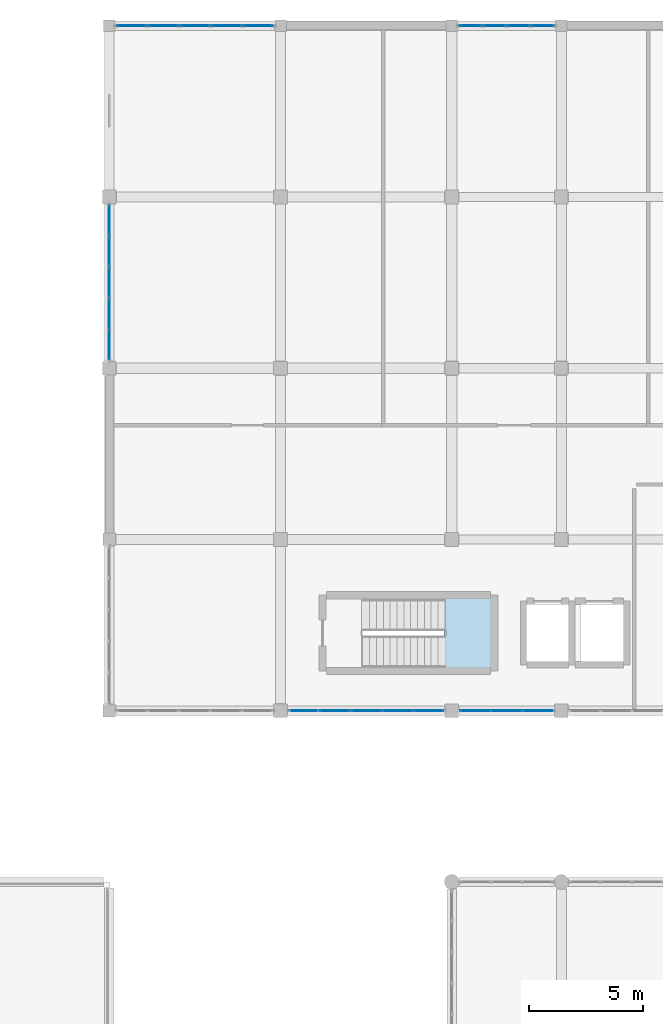
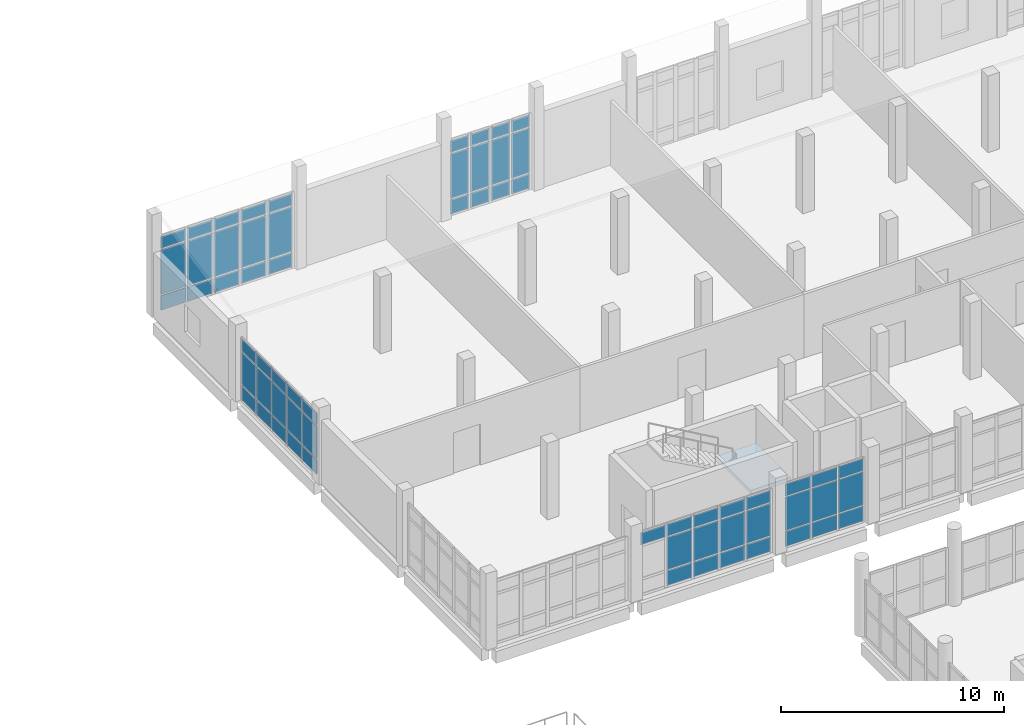
# One storey, part 131 of 164: 64 plates, 1 slab, 6 elements without a shape of their own.
"""IFC4 building model written with IfcOpenShell, lengths in metres."""

from ifc_helpers import new_model, si_unit, direction, frame, origin, origin_2d, place, context, subcontext, project, spatial, polyline, rectangle, outline, extrude, material, layer, layer_set, type_object, element, aggregate, save


model = new_model("IFC4")

# Units and contexts
model_context = context("Model", 3, precision=1e-05, world=origin(), true_north=direction((0.0, 1.0)))
body_context = subcontext(model_context, "Body", "Model", "MODEL_VIEW")
ifc_project = project(units=[si_unit("LENGTHUNIT", "METRE"), si_unit("AREAUNIT", "SQUARE_METRE"), si_unit("VOLUMEUNIT", "CUBIC_METRE"), si_unit("PLANEANGLEUNIT", "RADIAN"), si_unit("MASSUNIT", "GRAM", prefix="KILO")], contexts=[model_context])

# Site, building, storey
site_placement = place(None, origin())
site = spatial("IfcSite", under=ifc_project, at=site_placement, CompositionType="ELEMENT")
building_placement = place(site_placement, origin())
building = spatial("IfcBuilding", under=site, at=building_placement, Name="Mawjan Specialist Oncology Clinic", CompositionType="ELEMENT")
storey_placement = place(building_placement, frame((0.0, 0.0, 5.0)))
storey = spatial("IfcBuildingStorey", under=building, at=storey_placement, Name="L01", CompositionType="ELEMENT", Elevation=5.0)

# Curtain wall, plates
ifc_material_1 = material(Name="Unitised spectrally selective aluminium curtain wall", Category="aluminium")
ifc_layer_1 = layer(ifc_material_1, 0.179931640625, Name="Unitised spectrally selective aluminium curtain wall", Category="aluminium")
ifc_layer_set_1 = layer_set([ifc_layer_1], Name="Unitised spectrally selective aluminium curtain wall")
curtain_wall_type_1 = type_object("IfcCurtainWallType", Name="CW-59", PredefinedType="NOTDEFINED", material=ifc_layer_set_1)
curtain_wall_1_placement = place(storey_placement, origin())
curtain_wall_1 = element("IfcCurtainWall", 1, at=curtain_wall_1_placement, inside=storey, type_object=curtain_wall_type_1, Name="L01 Unitised Curtain Wall CW-L01-113", PredefinedType="NOTDEFINED")
ifc_material_2 = material(Name="Spectrally selective double low-E glazing", Category="glass")
ifc_layer_2 = layer(ifc_material_2, 0.031982421875, Name="Spectrally selective double low-E glazing", Category="glass")
ifc_layer_set_2 = layer_set([ifc_layer_2], Name="Spectrally selective double low-E glazing")
plate_type = type_object("IfcPlateType", Name="CW-P32", PredefinedType="CURTAIN_PANEL", material=ifc_layer_set_2)
plate_1_placement = place(storey_placement, frame((63.771728515625, 83.300048828125, 0.06005859375), z_axis=(0.0, 0.0, 1.0), x_axis=(-1.0, 0.0, 0.0)))
plate_1 = element("IfcPlate", 2, at=plate_1_placement, type_object=plate_type, Name="CW-59 panel 1.1", PredefinedType="CURTAIN_PANEL", context=body_context, shape_type="SweptSolid", body=[
    extrude(rectangle(XDim=1.296630859375, YDim=0.031982421875, at=origin_2d()), origin(), (0.0, 0.0, 1.0), 0.81005859375),
])
plate_2_placement = place(storey_placement, frame((63.771728515625, 83.300048828125, 0.93017578125), z_axis=(0.0, 0.0, 1.0), x_axis=(-1.0, 0.0, 0.0)))
plate_2 = element("IfcPlate", 3, at=plate_2_placement, type_object=plate_type, Name="CW-59 panel 1.2", PredefinedType="CURTAIN_PANEL", context=body_context, shape_type="SweptSolid", body=[
    extrude(rectangle(XDim=1.296630859375, YDim=0.031982421875, at=origin_2d()), origin(), (0.0, 0.0, 1.0), 1.824951171875),
])
plate_3_placement = place(storey_placement, frame((63.771728515625, 83.300048828125, 2.81494140625), z_axis=(0.0, 0.0, 1.0), x_axis=(-1.0, 0.0, 0.0)))
plate_3 = element("IfcPlate", 4, at=plate_3_placement, type_object=plate_type, Name="CW-59 panel 1.3", PredefinedType="CURTAIN_PANEL", context=body_context, shape_type="SweptSolid", body=[
    extrude(rectangle(XDim=1.296630859375, YDim=0.031982421875, at=origin_2d()), origin(), (0.0, 0.0, 1.0), 0.659912109375),
])
plate_4_placement = place(storey_placement, frame((62.39990234375, 83.300048828125, 0.06005859375), z_axis=(0.0, 0.0, 1.0), x_axis=(-1.0, 0.0, 0.0)))
plate_4 = element("IfcPlate", 5, at=plate_4_placement, type_object=plate_type, Name="CW-59 panel 2.1", PredefinedType="CURTAIN_PANEL", context=body_context, shape_type="SweptSolid", body=[
    extrude(rectangle(XDim=1.32666015625, YDim=0.031982421875, at=origin_2d()), origin(), (0.0, 0.0, 1.0), 0.81005859375),
])
plate_5_placement = place(storey_placement, frame((62.39990234375, 83.300048828125, 0.93017578125), z_axis=(0.0, 0.0, 1.0), x_axis=(-1.0, 0.0, 0.0)))
plate_5 = element("IfcPlate", 6, at=plate_5_placement, type_object=plate_type, Name="CW-59 panel 2.2", PredefinedType="CURTAIN_PANEL", context=body_context, shape_type="SweptSolid", body=[
    extrude(rectangle(XDim=1.32666015625, YDim=0.031982421875, at=origin_2d()), origin(), (0.0, 0.0, 1.0), 1.824951171875),
])
plate_6_placement = place(storey_placement, frame((62.39990234375, 83.300048828125, 2.81494140625), z_axis=(0.0, 0.0, 1.0), x_axis=(-1.0, 0.0, 0.0)))
plate_6 = element("IfcPlate", 7, at=plate_6_placement, type_object=plate_type, Name="CW-59 panel 2.3", PredefinedType="CURTAIN_PANEL", context=body_context, shape_type="SweptSolid", body=[
    extrude(rectangle(XDim=1.32666015625, YDim=0.031982421875, at=origin_2d()), origin(), (0.0, 0.0, 1.0), 0.659912109375),
])
plate_7_placement = place(storey_placement, frame((61.0283203125, 83.300048828125, 0.06005859375), z_axis=(0.0, 0.0, 1.0), x_axis=(-1.0, 0.0, 0.0)))
plate_7 = element("IfcPlate", 8, at=plate_7_placement, type_object=plate_type, Name="CW-59 panel 3.1", PredefinedType="CURTAIN_PANEL", context=body_context, shape_type="SweptSolid", body=[
    extrude(rectangle(XDim=1.296630859375, YDim=0.031982421875, at=origin_2d()), origin(), (0.0, 0.0, 1.0), 0.81005859375),
])
plate_8_placement = place(storey_placement, frame((61.0283203125, 83.300048828125, 0.93017578125), z_axis=(0.0, 0.0, 1.0), x_axis=(-1.0, 0.0, 0.0)))
plate_8 = element("IfcPlate", 9, at=plate_8_placement, type_object=plate_type, Name="CW-59 panel 3.2", PredefinedType="CURTAIN_PANEL", context=body_context, shape_type="SweptSolid", body=[
    extrude(rectangle(XDim=1.296630859375, YDim=0.031982421875, at=origin_2d()), origin(), (0.0, 0.0, 1.0), 1.824951171875),
])
plate_9_placement = place(storey_placement, frame((61.0283203125, 83.300048828125, 2.81494140625), z_axis=(0.0, 0.0, 1.0), x_axis=(-1.0, 0.0, 0.0)))
plate_9 = element("IfcPlate", 10, at=plate_9_placement, type_object=plate_type, Name="CW-59 panel 3.3", PredefinedType="CURTAIN_PANEL", context=body_context, shape_type="SweptSolid", body=[
    extrude(rectangle(XDim=1.296630859375, YDim=0.031982421875, at=origin_2d()), origin(), (0.0, 0.0, 1.0), 0.659912109375),
])
aggregate(curtain_wall_1, [plate_1, plate_2, plate_3, plate_4, plate_5, plate_6, plate_7, plate_8, plate_9])

ifc_material_3 = material(Name="Unitised spectrally selective aluminium curtain wall", Category="aluminium")
ifc_layer_3 = layer(ifc_material_3, 0.179931640625, Name="Unitised spectrally selective aluminium curtain wall", Category="aluminium")
ifc_layer_set_3 = layer_set([ifc_layer_3], Name="Unitised spectrally selective aluminium curtain wall")
curtain_wall_type_2 = type_object("IfcCurtainWallType", Name="CW-60", PredefinedType="NOTDEFINED", material=ifc_layer_set_3)
curtain_wall_2_placement = place(storey_placement, origin())
curtain_wall_2 = element("IfcCurtainWall", 11, at=curtain_wall_2_placement, inside=storey, type_object=curtain_wall_type_2, Name="L01 Unitised Curtain Wall CW-L01-114", PredefinedType="NOTDEFINED")
plate_10_placement = place(storey_placement, frame((58.977783203125, 83.300048828125, 0.06494140625), z_axis=(0.0, 0.0, 1.0), x_axis=(-1.0, 0.0, 0.0)))
plate_10 = element("IfcPlate", 12, at=plate_10_placement, type_object=plate_type, Name="CW-60 panel 1.1", PredefinedType="CURTAIN_PANEL", context=body_context, shape_type="SweptSolid", body=[
    extrude(rectangle(XDim=1.2744140625, YDim=0.031982421875, at=origin_2d()), origin(), (0.0, 0.0, 1.0), 0.802490234375),
])
plate_11_placement = place(storey_placement, frame((58.977783203125, 83.300048828125, 0.932373046875), z_axis=(0.0, 0.0, 1.0), x_axis=(-1.0, 0.0, 0.0)))
plate_11 = element("IfcPlate", 13, at=plate_11_placement, type_object=plate_type, Name="CW-60 panel 1.2", PredefinedType="CURTAIN_PANEL", context=body_context, shape_type="SweptSolid", body=[
    extrude(rectangle(XDim=1.2744140625, YDim=0.031982421875, at=origin_2d()), origin(), (0.0, 0.0, 1.0), 1.77001953125),
])
plate_12_placement = place(storey_placement, frame((58.977783203125, 83.300048828125, 2.767578125), z_axis=(0.0, 0.0, 1.0), x_axis=(-1.0, 0.0, 0.0)))
plate_12 = element("IfcPlate", 14, at=plate_12_placement, type_object=plate_type, Name="CW-60 panel 1.3", PredefinedType="CURTAIN_PANEL", context=body_context, shape_type="SweptSolid", body=[
    extrude(rectangle(XDim=1.2744140625, YDim=0.031982421875, at=origin_2d()), origin(), (0.0, 0.0, 1.0), 0.652587890625),
])
plate_13_placement = place(storey_placement, frame((57.6220703125, 83.300048828125, 0.06494140625), z_axis=(0.0, 0.0, 1.0), x_axis=(-1.0, 0.0, 0.0)))
plate_13 = element("IfcPlate", 15, at=plate_13_placement, type_object=plate_type, Name="CW-60 panel 2.1", PredefinedType="CURTAIN_PANEL", context=body_context, shape_type="SweptSolid", body=[
    extrude(rectangle(XDim=1.306884765625, YDim=0.031982421875, at=origin_2d()), origin(), (0.0, 0.0, 1.0), 0.802490234375),
])
plate_14_placement = place(storey_placement, frame((57.6220703125, 83.300048828125, 0.932373046875), z_axis=(0.0, 0.0, 1.0), x_axis=(-1.0, 0.0, 0.0)))
plate_14 = element("IfcPlate", 16, at=plate_14_placement, type_object=plate_type, Name="CW-60 panel 2.2", PredefinedType="CURTAIN_PANEL", context=body_context, shape_type="SweptSolid", body=[
    extrude(rectangle(XDim=1.306884765625, YDim=0.031982421875, at=origin_2d()), origin(), (0.0, 0.0, 1.0), 1.77001953125),
])
plate_15_placement = place(storey_placement, frame((57.6220703125, 83.300048828125, 2.767578125), z_axis=(0.0, 0.0, 1.0), x_axis=(-1.0, 0.0, 0.0)))
plate_15 = element("IfcPlate", 17, at=plate_15_placement, type_object=plate_type, Name="CW-60 panel 2.3", PredefinedType="CURTAIN_PANEL", context=body_context, shape_type="SweptSolid", body=[
    extrude(rectangle(XDim=1.306884765625, YDim=0.031982421875, at=origin_2d()), origin(), (0.0, 0.0, 1.0), 0.652587890625),
])
plate_16_placement = place(storey_placement, frame((56.25, 83.300048828125, 0.06494140625), z_axis=(0.0, 0.0, 1.0), x_axis=(-1.0, 0.0, 0.0)))
plate_16 = element("IfcPlate", 18, at=plate_16_placement, type_object=plate_type, Name="CW-60 panel 3.1", PredefinedType="CURTAIN_PANEL", context=body_context, shape_type="SweptSolid", body=[
    extrude(rectangle(XDim=1.306884765625, YDim=0.031982421875, at=origin_2d()), origin(), (0.0, 0.0, 1.0), 0.802490234375),
])
plate_17_placement = place(storey_placement, frame((56.25, 83.300048828125, 0.932373046875), z_axis=(0.0, 0.0, 1.0), x_axis=(-1.0, 0.0, 0.0)))
plate_17 = element("IfcPlate", 19, at=plate_17_placement, type_object=plate_type, Name="CW-60 panel 3.2", PredefinedType="CURTAIN_PANEL", context=body_context, shape_type="SweptSolid", body=[
    extrude(rectangle(XDim=1.306884765625, YDim=0.031982421875, at=origin_2d()), origin(), (0.0, 0.0, 1.0), 1.77001953125),
])
plate_18_placement = place(storey_placement, frame((56.25, 83.300048828125, 2.767578125), z_axis=(0.0, 0.0, 1.0), x_axis=(-1.0, 0.0, 0.0)))
plate_18 = element("IfcPlate", 20, at=plate_18_placement, type_object=plate_type, Name="CW-60 panel 3.3", PredefinedType="CURTAIN_PANEL", context=body_context, shape_type="SweptSolid", body=[
    extrude(rectangle(XDim=1.306884765625, YDim=0.031982421875, at=origin_2d()), origin(), (0.0, 0.0, 1.0), 0.652587890625),
])
plate_19_placement = place(storey_placement, frame((54.8779296875, 83.300048828125, 0.06494140625), z_axis=(0.0, 0.0, 1.0), x_axis=(-1.0, 0.0, 0.0)))
plate_19 = element("IfcPlate", 21, at=plate_19_placement, type_object=plate_type, Name="CW-60 panel 4.1", PredefinedType="CURTAIN_PANEL", context=body_context, shape_type="SweptSolid", body=[
    extrude(rectangle(XDim=1.306884765625, YDim=0.031982421875, at=origin_2d()), origin(), (0.0, 0.0, 1.0), 0.802490234375),
])
plate_20_placement = place(storey_placement, frame((54.8779296875, 83.300048828125, 0.932373046875), z_axis=(0.0, 0.0, 1.0), x_axis=(-1.0, 0.0, 0.0)))
plate_20 = element("IfcPlate", 22, at=plate_20_placement, type_object=plate_type, Name="CW-60 panel 4.2", PredefinedType="CURTAIN_PANEL", context=body_context, shape_type="SweptSolid", body=[
    extrude(rectangle(XDim=1.306884765625, YDim=0.031982421875, at=origin_2d()), origin(), (0.0, 0.0, 1.0), 1.77001953125),
])
plate_21_placement = place(storey_placement, frame((54.8779296875, 83.300048828125, 2.767578125), z_axis=(0.0, 0.0, 1.0), x_axis=(-1.0, 0.0, 0.0)))
plate_21 = element("IfcPlate", 23, at=plate_21_placement, type_object=plate_type, Name="CW-60 panel 4.3", PredefinedType="CURTAIN_PANEL", context=body_context, shape_type="SweptSolid", body=[
    extrude(rectangle(XDim=1.306884765625, YDim=0.031982421875, at=origin_2d()), origin(), (0.0, 0.0, 1.0), 0.652587890625),
])
plate_22_placement = place(storey_placement, frame((53.522216796875, 83.300048828125, 2.767578125), z_axis=(0.0, 0.0, 1.0), x_axis=(-1.0, 0.0, 0.0)))
plate_22 = element("IfcPlate", 24, at=plate_22_placement, type_object=plate_type, Name="CW-60 panel 5.3", PredefinedType="CURTAIN_PANEL", context=body_context, shape_type="SweptSolid", body=[
    extrude(rectangle(XDim=1.2744140625, YDim=0.031982421875, at=origin_2d()), origin(), (0.0, 0.0, 1.0), 0.652587890625),
])
aggregate(curtain_wall_2, [plate_10, plate_11, plate_12, plate_13, plate_14, plate_15, plate_16, plate_17, plate_18, plate_19, plate_20, plate_21, plate_22])

curtain_wall_3_placement = place(storey_placement, origin())
curtain_wall_3 = element("IfcCurtainWall", 25, at=curtain_wall_3_placement, inside=storey, type_object=curtain_wall_type_2, Name="L01 Unitised Curtain Wall CW-L01-117", PredefinedType="NOTDEFINED")
plate_23_placement = place(storey_placement, frame((45.0, 99.322265625, 0.06494140625), z_axis=(0.0, 0.0, 1.0), x_axis=(0.0, 1.0, 0.0)))
plate_23 = element("IfcPlate", 26, at=plate_23_placement, type_object=plate_type, Name="CW-60 panel 1.1", PredefinedType="CURTAIN_PANEL", context=body_context, shape_type="SweptSolid", body=[
    extrude(rectangle(XDim=1.2744140625, YDim=0.031982421875, at=origin_2d()), origin(), (0.0, 0.0, 1.0), 0.802490234375),
])
plate_24_placement = place(storey_placement, frame((45.0, 99.322265625, 0.932373046875), z_axis=(0.0, 0.0, 1.0), x_axis=(0.0, 1.0, 0.0)))
plate_24 = element("IfcPlate", 27, at=plate_24_placement, type_object=plate_type, Name="CW-60 panel 1.2", PredefinedType="CURTAIN_PANEL", context=body_context, shape_type="SweptSolid", body=[
    extrude(rectangle(XDim=1.2744140625, YDim=0.031982421875, at=origin_2d()), origin(), (0.0, 0.0, 1.0), 1.77001953125),
])
plate_25_placement = place(storey_placement, frame((45.0, 99.322265625, 2.767578125), z_axis=(0.0, 0.0, 1.0), x_axis=(0.0, 1.0, 0.0)))
plate_25 = element("IfcPlate", 28, at=plate_25_placement, type_object=plate_type, Name="CW-60 panel 1.3", PredefinedType="CURTAIN_PANEL", context=body_context, shape_type="SweptSolid", body=[
    extrude(rectangle(XDim=1.2744140625, YDim=0.031982421875, at=origin_2d()), origin(), (0.0, 0.0, 1.0), 0.652587890625),
])
plate_26_placement = place(storey_placement, frame((45.0, 100.677978515625, 0.06494140625), z_axis=(0.0, 0.0, 1.0), x_axis=(0.0, 1.0, 0.0)))
plate_26 = element("IfcPlate", 29, at=plate_26_placement, type_object=plate_type, Name="CW-60 panel 2.1", PredefinedType="CURTAIN_PANEL", context=body_context, shape_type="SweptSolid", body=[
    extrude(rectangle(XDim=1.306884765625, YDim=0.031982421875, at=origin_2d()), origin(), (0.0, 0.0, 1.0), 0.802490234375),
])
plate_27_placement = place(storey_placement, frame((45.0, 100.677978515625, 0.932373046875), z_axis=(0.0, 0.0, 1.0), x_axis=(0.0, 1.0, 0.0)))
plate_27 = element("IfcPlate", 30, at=plate_27_placement, type_object=plate_type, Name="CW-60 panel 2.2", PredefinedType="CURTAIN_PANEL", context=body_context, shape_type="SweptSolid", body=[
    extrude(rectangle(XDim=1.306884765625, YDim=0.031982421875, at=origin_2d()), origin(), (0.0, 0.0, 1.0), 1.77001953125),
])
plate_28_placement = place(storey_placement, frame((45.0, 100.677978515625, 2.767578125), z_axis=(0.0, 0.0, 1.0), x_axis=(0.0, 1.0, 0.0)))
plate_28 = element("IfcPlate", 31, at=plate_28_placement, type_object=plate_type, Name="CW-60 panel 2.3", PredefinedType="CURTAIN_PANEL", context=body_context, shape_type="SweptSolid", body=[
    extrude(rectangle(XDim=1.306884765625, YDim=0.031982421875, at=origin_2d()), origin(), (0.0, 0.0, 1.0), 0.652587890625),
])
plate_29_placement = place(storey_placement, frame((45.0, 102.050048828125, 0.06494140625), z_axis=(0.0, 0.0, 1.0), x_axis=(0.0, 1.0, 0.0)))
plate_29 = element("IfcPlate", 32, at=plate_29_placement, type_object=plate_type, Name="CW-60 panel 3.1", PredefinedType="CURTAIN_PANEL", context=body_context, shape_type="SweptSolid", body=[
    extrude(rectangle(XDim=1.306884765625, YDim=0.031982421875, at=origin_2d()), origin(), (0.0, 0.0, 1.0), 0.802490234375),
])
plate_30_placement = place(storey_placement, frame((45.0, 102.050048828125, 0.932373046875), z_axis=(0.0, 0.0, 1.0), x_axis=(0.0, 1.0, 0.0)))
plate_30 = element("IfcPlate", 33, at=plate_30_placement, type_object=plate_type, Name="CW-60 panel 3.2", PredefinedType="CURTAIN_PANEL", context=body_context, shape_type="SweptSolid", body=[
    extrude(rectangle(XDim=1.306884765625, YDim=0.031982421875, at=origin_2d()), origin(), (0.0, 0.0, 1.0), 1.77001953125),
])
plate_31_placement = place(storey_placement, frame((45.0, 102.050048828125, 2.767578125), z_axis=(0.0, 0.0, 1.0), x_axis=(0.0, 1.0, 0.0)))
plate_31 = element("IfcPlate", 34, at=plate_31_placement, type_object=plate_type, Name="CW-60 panel 3.3", PredefinedType="CURTAIN_PANEL", context=body_context, shape_type="SweptSolid", body=[
    extrude(rectangle(XDim=1.306884765625, YDim=0.031982421875, at=origin_2d()), origin(), (0.0, 0.0, 1.0), 0.652587890625),
])
plate_32_placement = place(storey_placement, frame((45.0, 103.422119140625, 0.06494140625), z_axis=(0.0, 0.0, 1.0), x_axis=(0.0, 1.0, 0.0)))
plate_32 = element("IfcPlate", 35, at=plate_32_placement, type_object=plate_type, Name="CW-60 panel 4.1", PredefinedType="CURTAIN_PANEL", context=body_context, shape_type="SweptSolid", body=[
    extrude(rectangle(XDim=1.306884765625, YDim=0.031982421875, at=origin_2d()), origin(), (0.0, 0.0, 1.0), 0.802490234375),
])
plate_33_placement = place(storey_placement, frame((45.0, 103.422119140625, 0.932373046875), z_axis=(0.0, 0.0, 1.0), x_axis=(0.0, 1.0, 0.0)))
plate_33 = element("IfcPlate", 36, at=plate_33_placement, type_object=plate_type, Name="CW-60 panel 4.2", PredefinedType="CURTAIN_PANEL", context=body_context, shape_type="SweptSolid", body=[
    extrude(rectangle(XDim=1.306884765625, YDim=0.031982421875, at=origin_2d()), origin(), (0.0, 0.0, 1.0), 1.77001953125),
])
plate_34_placement = place(storey_placement, frame((45.0, 103.422119140625, 2.767578125), z_axis=(0.0, 0.0, 1.0), x_axis=(0.0, 1.0, 0.0)))
plate_34 = element("IfcPlate", 37, at=plate_34_placement, type_object=plate_type, Name="CW-60 panel 4.3", PredefinedType="CURTAIN_PANEL", context=body_context, shape_type="SweptSolid", body=[
    extrude(rectangle(XDim=1.306884765625, YDim=0.031982421875, at=origin_2d()), origin(), (0.0, 0.0, 1.0), 0.652587890625),
])
plate_35_placement = place(storey_placement, frame((45.0, 104.77783203125, 0.06494140625), z_axis=(0.0, 0.0, 1.0), x_axis=(0.0, 1.0, 0.0)))
plate_35 = element("IfcPlate", 38, at=plate_35_placement, type_object=plate_type, Name="CW-60 panel 5.1", PredefinedType="CURTAIN_PANEL", context=body_context, shape_type="SweptSolid", body=[
    extrude(rectangle(XDim=1.2744140625, YDim=0.031982421875, at=origin_2d()), origin(), (0.0, 0.0, 1.0), 0.802490234375),
])
plate_36_placement = place(storey_placement, frame((45.0, 104.77783203125, 0.932373046875), z_axis=(0.0, 0.0, 1.0), x_axis=(0.0, 1.0, 0.0)))
plate_36 = element("IfcPlate", 39, at=plate_36_placement, type_object=plate_type, Name="CW-60 panel 5.2", PredefinedType="CURTAIN_PANEL", context=body_context, shape_type="SweptSolid", body=[
    extrude(rectangle(XDim=1.2744140625, YDim=0.031982421875, at=origin_2d()), origin(), (0.0, 0.0, 1.0), 1.77001953125),
])
plate_37_placement = place(storey_placement, frame((45.0, 104.77783203125, 2.767578125), z_axis=(0.0, 0.0, 1.0), x_axis=(0.0, 1.0, 0.0)))
plate_37 = element("IfcPlate", 40, at=plate_37_placement, type_object=plate_type, Name="CW-60 panel 5.3", PredefinedType="CURTAIN_PANEL", context=body_context, shape_type="SweptSolid", body=[
    extrude(rectangle(XDim=1.2744140625, YDim=0.031982421875, at=origin_2d()), origin(), (0.0, 0.0, 1.0), 0.652587890625),
])
aggregate(curtain_wall_3, [plate_23, plate_24, plate_25, plate_26, plate_27, plate_28, plate_29, plate_30, plate_31, plate_32, plate_33, plate_34, plate_35, plate_36, plate_37])

ifc_material_4 = material(Name="Unitised spectrally selective aluminium curtain wall", Category="aluminium")
ifc_layer_4 = layer(ifc_material_4, 0.179931640625, Name="Unitised spectrally selective aluminium curtain wall", Category="aluminium")
ifc_layer_set_4 = layer_set([ifc_layer_4], Name="Unitised spectrally selective aluminium curtain wall")
curtain_wall_type_3 = type_object("IfcCurtainWallType", Name="CW-62", PredefinedType="NOTDEFINED", material=ifc_layer_set_4)
curtain_wall_4_placement = place(storey_placement, origin())
curtain_wall_4 = element("IfcCurtainWall", 41, at=curtain_wall_4_placement, inside=storey, type_object=curtain_wall_type_3, Name="L01 Unitised Curtain Wall CW-L01-118", PredefinedType="NOTDEFINED")
plate_38_placement = place(storey_placement, frame((45.9833984375, 113.300048828125, 0.070068359375), z_axis=(0.0, 0.0, 1.0), x_axis=(1.0, 0.0, 0.0)))
plate_38 = element("IfcPlate", 42, at=plate_38_placement, type_object=plate_type, Name="CW-62 panel 1.1", PredefinedType="CURTAIN_PANEL", context=body_context, shape_type="SweptSolid", body=[
    extrude(rectangle(XDim=1.287109375, YDim=0.031982421875, at=origin_2d()), origin(), (0.0, 0.0, 1.0), 0.794921875),
])
plate_39_placement = place(storey_placement, frame((45.9833984375, 113.300048828125, 0.93505859375), z_axis=(0.0, 0.0, 1.0), x_axis=(1.0, 0.0, 0.0)))
plate_39 = element("IfcPlate", 43, at=plate_39_placement, type_object=plate_type, Name="CW-62 panel 1.2", PredefinedType="CURTAIN_PANEL", context=body_context, shape_type="SweptSolid", body=[
    extrude(rectangle(XDim=1.287109375, YDim=0.031982421875, at=origin_2d()), origin(), (0.0, 0.0, 1.0), 2.449951171875),
])
plate_40_placement = place(storey_placement, frame((45.9833984375, 113.300048828125, 3.455078125), z_axis=(0.0, 0.0, 1.0), x_axis=(1.0, 0.0, 0.0)))
plate_40 = element("IfcPlate", 44, at=plate_40_placement, type_object=plate_type, Name="CW-62 panel 1.3", PredefinedType="CURTAIN_PANEL", context=body_context, shape_type="SweptSolid", body=[
    extrude(rectangle(XDim=1.287109375, YDim=0.031982421875, at=origin_2d()), origin(), (0.0, 0.0, 1.0), 0.64501953125),
])
plate_41_placement = place(storey_placement, frame((47.35791015625, 113.300048828125, 0.070068359375), z_axis=(0.0, 0.0, 1.0), x_axis=(1.0, 0.0, 0.0)))
plate_41 = element("IfcPlate", 45, at=plate_41_placement, type_object=plate_type, Name="CW-62 panel 2.1", PredefinedType="CURTAIN_PANEL", context=body_context, shape_type="SweptSolid", body=[
    extrude(rectangle(XDim=1.322021484375, YDim=0.031982421875, at=origin_2d()), origin(), (0.0, 0.0, 1.0), 0.794921875),
])
plate_42_placement = place(storey_placement, frame((47.35791015625, 113.300048828125, 0.93505859375), z_axis=(0.0, 0.0, 1.0), x_axis=(1.0, 0.0, 0.0)))
plate_42 = element("IfcPlate", 46, at=plate_42_placement, type_object=plate_type, Name="CW-62 panel 2.2", PredefinedType="CURTAIN_PANEL", context=body_context, shape_type="SweptSolid", body=[
    extrude(rectangle(XDim=1.322021484375, YDim=0.031982421875, at=origin_2d()), origin(), (0.0, 0.0, 1.0), 2.449951171875),
])
plate_43_placement = place(storey_placement, frame((47.35791015625, 113.300048828125, 3.455078125), z_axis=(0.0, 0.0, 1.0), x_axis=(1.0, 0.0, 0.0)))
plate_43 = element("IfcPlate", 47, at=plate_43_placement, type_object=plate_type, Name="CW-62 panel 2.3", PredefinedType="CURTAIN_PANEL", context=body_context, shape_type="SweptSolid", body=[
    extrude(rectangle(XDim=1.322021484375, YDim=0.031982421875, at=origin_2d()), origin(), (0.0, 0.0, 1.0), 0.64501953125),
])
plate_44_placement = place(storey_placement, frame((48.75, 113.300048828125, 0.070068359375), z_axis=(0.0, 0.0, 1.0), x_axis=(1.0, 0.0, 0.0)))
plate_44 = element("IfcPlate", 48, at=plate_44_placement, type_object=plate_type, Name="CW-62 panel 3.1", PredefinedType="CURTAIN_PANEL", context=body_context, shape_type="SweptSolid", body=[
    extrude(rectangle(XDim=1.322021484375, YDim=0.031982421875, at=origin_2d()), origin(), (0.0, 0.0, 1.0), 0.794921875),
])
plate_45_placement = place(storey_placement, frame((48.75, 113.300048828125, 0.93505859375), z_axis=(0.0, 0.0, 1.0), x_axis=(1.0, 0.0, 0.0)))
plate_45 = element("IfcPlate", 49, at=plate_45_placement, type_object=plate_type, Name="CW-62 panel 3.2", PredefinedType="CURTAIN_PANEL", context=body_context, shape_type="SweptSolid", body=[
    extrude(rectangle(XDim=1.322021484375, YDim=0.031982421875, at=origin_2d()), origin(), (0.0, 0.0, 1.0), 2.449951171875),
])
plate_46_placement = place(storey_placement, frame((48.75, 113.300048828125, 3.455078125), z_axis=(0.0, 0.0, 1.0), x_axis=(1.0, 0.0, 0.0)))
plate_46 = element("IfcPlate", 50, at=plate_46_placement, type_object=plate_type, Name="CW-62 panel 3.3", PredefinedType="CURTAIN_PANEL", context=body_context, shape_type="SweptSolid", body=[
    extrude(rectangle(XDim=1.322021484375, YDim=0.031982421875, at=origin_2d()), origin(), (0.0, 0.0, 1.0), 0.64501953125),
])
plate_47_placement = place(storey_placement, frame((50.14208984375, 113.300048828125, 0.070068359375), z_axis=(0.0, 0.0, 1.0), x_axis=(1.0, 0.0, 0.0)))
plate_47 = element("IfcPlate", 51, at=plate_47_placement, type_object=plate_type, Name="CW-62 panel 4.1", PredefinedType="CURTAIN_PANEL", context=body_context, shape_type="SweptSolid", body=[
    extrude(rectangle(XDim=1.322021484375, YDim=0.031982421875, at=origin_2d()), origin(), (0.0, 0.0, 1.0), 0.794921875),
])
plate_48_placement = place(storey_placement, frame((50.14208984375, 113.300048828125, 0.93505859375), z_axis=(0.0, 0.0, 1.0), x_axis=(1.0, 0.0, 0.0)))
plate_48 = element("IfcPlate", 52, at=plate_48_placement, type_object=plate_type, Name="CW-62 panel 4.2", PredefinedType="CURTAIN_PANEL", context=body_context, shape_type="SweptSolid", body=[
    extrude(rectangle(XDim=1.322021484375, YDim=0.031982421875, at=origin_2d()), origin(), (0.0, 0.0, 1.0), 2.449951171875),
])
plate_49_placement = place(storey_placement, frame((50.14208984375, 113.300048828125, 3.455078125), z_axis=(0.0, 0.0, 1.0), x_axis=(1.0, 0.0, 0.0)))
plate_49 = element("IfcPlate", 53, at=plate_49_placement, type_object=plate_type, Name="CW-62 panel 4.3", PredefinedType="CURTAIN_PANEL", context=body_context, shape_type="SweptSolid", body=[
    extrude(rectangle(XDim=1.322021484375, YDim=0.031982421875, at=origin_2d()), origin(), (0.0, 0.0, 1.0), 0.64501953125),
])
plate_50_placement = place(storey_placement, frame((51.5166015625, 113.300048828125, 0.070068359375), z_axis=(0.0, 0.0, 1.0), x_axis=(1.0, 0.0, 0.0)))
plate_50 = element("IfcPlate", 54, at=plate_50_placement, type_object=plate_type, Name="CW-62 panel 5.1", PredefinedType="CURTAIN_PANEL", context=body_context, shape_type="SweptSolid", body=[
    extrude(rectangle(XDim=1.287109375, YDim=0.031982421875, at=origin_2d()), origin(), (0.0, 0.0, 1.0), 0.794921875),
])
plate_51_placement = place(storey_placement, frame((51.5166015625, 113.300048828125, 0.93505859375), z_axis=(0.0, 0.0, 1.0), x_axis=(1.0, 0.0, 0.0)))
plate_51 = element("IfcPlate", 55, at=plate_51_placement, type_object=plate_type, Name="CW-62 panel 5.2", PredefinedType="CURTAIN_PANEL", context=body_context, shape_type="SweptSolid", body=[
    extrude(rectangle(XDim=1.287109375, YDim=0.031982421875, at=origin_2d()), origin(), (0.0, 0.0, 1.0), 2.449951171875),
])
plate_52_placement = place(storey_placement, frame((51.5166015625, 113.300048828125, 3.455078125), z_axis=(0.0, 0.0, 1.0), x_axis=(1.0, 0.0, 0.0)))
plate_52 = element("IfcPlate", 56, at=plate_52_placement, type_object=plate_type, Name="CW-62 panel 5.3", PredefinedType="CURTAIN_PANEL", context=body_context, shape_type="SweptSolid", body=[
    extrude(rectangle(XDim=1.287109375, YDim=0.031982421875, at=origin_2d()), origin(), (0.0, 0.0, 1.0), 0.64501953125),
])
aggregate(curtain_wall_4, [plate_38, plate_39, plate_40, plate_41, plate_42, plate_43, plate_44, plate_45, plate_46, plate_47, plate_48, plate_49, plate_50, plate_51, plate_52])

ifc_material_5 = material(Name="Unitised spectrally selective aluminium curtain wall", Category="aluminium")
ifc_layer_5 = layer(ifc_material_5, 0.179931640625, Name="Unitised spectrally selective aluminium curtain wall", Category="aluminium")
ifc_layer_set_5 = layer_set([ifc_layer_5], Name="Unitised spectrally selective aluminium curtain wall")
curtain_wall_type_4 = type_object("IfcCurtainWallType", Name="CW-63", PredefinedType="NOTDEFINED", material=ifc_layer_set_5)
curtain_wall_5_placement = place(storey_placement, origin())
curtain_wall_5 = element("IfcCurtainWall", 57, at=curtain_wall_5_placement, inside=storey, type_object=curtain_wall_type_4, Name="L01 Unitised Curtain Wall CW-L01-119", PredefinedType="NOTDEFINED")
plate_53_placement = place(storey_placement, frame((60.820068359375, 113.300048828125, 0.070068359375), z_axis=(0.0, 0.0, 1.0), x_axis=(1.0, 0.0, 0.0)))
plate_53 = element("IfcPlate", 58, at=plate_53_placement, type_object=plate_type, Name="CW-63 panel 1.1", PredefinedType="CURTAIN_PANEL", context=body_context, shape_type="SweptSolid", body=[
    extrude(rectangle(XDim=0.9599609375, YDim=0.031982421875, at=origin_2d()), origin(), (0.0, 0.0, 1.0), 0.794921875),
])
plate_54_placement = place(storey_placement, frame((60.820068359375, 113.300048828125, 0.93505859375), z_axis=(0.0, 0.0, 1.0), x_axis=(1.0, 0.0, 0.0)))
plate_54 = element("IfcPlate", 59, at=plate_54_placement, type_object=plate_type, Name="CW-63 panel 1.2", PredefinedType="CURTAIN_PANEL", context=body_context, shape_type="SweptSolid", body=[
    extrude(rectangle(XDim=0.9599609375, YDim=0.031982421875, at=origin_2d()), origin(), (0.0, 0.0, 1.0), 2.449951171875),
])
plate_55_placement = place(storey_placement, frame((60.820068359375, 113.300048828125, 3.455078125), z_axis=(0.0, 0.0, 1.0), x_axis=(1.0, 0.0, 0.0)))
plate_55 = element("IfcPlate", 60, at=plate_55_placement, type_object=plate_type, Name="CW-63 panel 1.3", PredefinedType="CURTAIN_PANEL", context=body_context, shape_type="SweptSolid", body=[
    extrude(rectangle(XDim=0.9599609375, YDim=0.031982421875, at=origin_2d()), origin(), (0.0, 0.0, 1.0), 0.64501953125),
])
plate_56_placement = place(storey_placement, frame((61.867431640625, 113.300048828125, 0.070068359375), z_axis=(0.0, 0.0, 1.0), x_axis=(1.0, 0.0, 0.0)))
plate_56 = element("IfcPlate", 61, at=plate_56_placement, type_object=plate_type, Name="CW-63 panel 2.1", PredefinedType="CURTAIN_PANEL", context=body_context, shape_type="SweptSolid", body=[
    extrude(rectangle(XDim=0.9951171875, YDim=0.031982421875, at=origin_2d()), origin(), (0.0, 0.0, 1.0), 0.794921875),
])
plate_57_placement = place(storey_placement, frame((61.867431640625, 113.300048828125, 0.93505859375), z_axis=(0.0, 0.0, 1.0), x_axis=(1.0, 0.0, 0.0)))
plate_57 = element("IfcPlate", 62, at=plate_57_placement, type_object=plate_type, Name="CW-63 panel 2.2", PredefinedType="CURTAIN_PANEL", context=body_context, shape_type="SweptSolid", body=[
    extrude(rectangle(XDim=0.9951171875, YDim=0.031982421875, at=origin_2d()), origin(), (0.0, 0.0, 1.0), 2.449951171875),
])
plate_58_placement = place(storey_placement, frame((61.867431640625, 113.300048828125, 3.455078125), z_axis=(0.0, 0.0, 1.0), x_axis=(1.0, 0.0, 0.0)))
plate_58 = element("IfcPlate", 63, at=plate_58_placement, type_object=plate_type, Name="CW-63 panel 2.3", PredefinedType="CURTAIN_PANEL", context=body_context, shape_type="SweptSolid", body=[
    extrude(rectangle(XDim=0.9951171875, YDim=0.031982421875, at=origin_2d()), origin(), (0.0, 0.0, 1.0), 0.64501953125),
])
plate_59_placement = place(storey_placement, frame((62.9326171875, 113.300048828125, 0.070068359375), z_axis=(0.0, 0.0, 1.0), x_axis=(1.0, 0.0, 0.0)))
plate_59 = element("IfcPlate", 64, at=plate_59_placement, type_object=plate_type, Name="CW-63 panel 3.1", PredefinedType="CURTAIN_PANEL", context=body_context, shape_type="SweptSolid", body=[
    extrude(rectangle(XDim=0.9951171875, YDim=0.031982421875, at=origin_2d()), origin(), (0.0, 0.0, 1.0), 0.794921875),
])
plate_60_placement = place(storey_placement, frame((62.9326171875, 113.300048828125, 0.93505859375), z_axis=(0.0, 0.0, 1.0), x_axis=(1.0, 0.0, 0.0)))
plate_60 = element("IfcPlate", 65, at=plate_60_placement, type_object=plate_type, Name="CW-63 panel 3.2", PredefinedType="CURTAIN_PANEL", context=body_context, shape_type="SweptSolid", body=[
    extrude(rectangle(XDim=0.9951171875, YDim=0.031982421875, at=origin_2d()), origin(), (0.0, 0.0, 1.0), 2.449951171875),
])
plate_61_placement = place(storey_placement, frame((62.9326171875, 113.300048828125, 3.455078125), z_axis=(0.0, 0.0, 1.0), x_axis=(1.0, 0.0, 0.0)))
plate_61 = element("IfcPlate", 66, at=plate_61_placement, type_object=plate_type, Name="CW-63 panel 3.3", PredefinedType="CURTAIN_PANEL", context=body_context, shape_type="SweptSolid", body=[
    extrude(rectangle(XDim=0.9951171875, YDim=0.031982421875, at=origin_2d()), origin(), (0.0, 0.0, 1.0), 0.64501953125),
])
plate_62_placement = place(storey_placement, frame((63.97998046875, 113.300048828125, 0.070068359375), z_axis=(0.0, 0.0, 1.0), x_axis=(1.0, 0.0, 0.0)))
plate_62 = element("IfcPlate", 67, at=plate_62_placement, type_object=plate_type, Name="CW-63 panel 4.1", PredefinedType="CURTAIN_PANEL", context=body_context, shape_type="SweptSolid", body=[
    extrude(rectangle(XDim=0.9599609375, YDim=0.031982421875, at=origin_2d()), origin(), (0.0, 0.0, 1.0), 0.794921875),
])
plate_63_placement = place(storey_placement, frame((63.97998046875, 113.300048828125, 0.93505859375), z_axis=(0.0, 0.0, 1.0), x_axis=(1.0, 0.0, 0.0)))
plate_63 = element("IfcPlate", 68, at=plate_63_placement, type_object=plate_type, Name="CW-63 panel 4.2", PredefinedType="CURTAIN_PANEL", context=body_context, shape_type="SweptSolid", body=[
    extrude(rectangle(XDim=0.9599609375, YDim=0.031982421875, at=origin_2d()), origin(), (0.0, 0.0, 1.0), 2.449951171875),
])
plate_64_placement = place(storey_placement, frame((63.97998046875, 113.300048828125, 3.455078125), z_axis=(0.0, 0.0, 1.0), x_axis=(1.0, 0.0, 0.0)))
plate_64 = element("IfcPlate", 69, at=plate_64_placement, type_object=plate_type, Name="CW-63 panel 4.3", PredefinedType="CURTAIN_PANEL", context=body_context, shape_type="SweptSolid", body=[
    extrude(rectangle(XDim=0.9599609375, YDim=0.031982421875, at=origin_2d()), origin(), (0.0, 0.0, 1.0), 0.64501953125),
])
aggregate(curtain_wall_5, [plate_53, plate_54, plate_55, plate_56, plate_57, plate_58, plate_59, plate_60, plate_61, plate_62, plate_63, plate_64])

# Stair, slab
ifc_material_6 = material(Name="Concrete C35/45", Category="concrete")
stair_type = type_object("IfcStairType", Name="STR-CORE45", PredefinedType="HALF_TURN_STAIR", material=ifc_material_6)
stair_placement = place(storey_placement, origin())
stair = element("IfcStair", 70, at=stair_placement, inside=storey, type_object=stair_type, Name="L01 Exit Stair ST-03", PredefinedType="HALF_TURN_STAIR")
ifc_material_7 = material(Name="Concrete C35/45", Category="concrete")
ifc_layer_6 = layer(ifc_material_7, 0.199951171875, Name="Concrete C35/45", Category="concrete")
ifc_layer_set_6 = layer_set([ifc_layer_6], Name="Concrete C35/45")
slab_type = type_object("IfcSlabType", Name="LND-200", PredefinedType="LANDING", material=ifc_layer_set_6)
slab_placement = place(storey_placement, frame((0.0, 0.0, 2.050048828125)))
slab = element("IfcSlab", 71, at=slab_placement, type_object=slab_type, Name="ST-03 landing 1", PredefinedType="LANDING", context=body_context, shape_type="SweptSolid", body=[
    extrude(outline(polyline([(59.666748046875, 85.150146484375), (61.7333984375, 85.150146484375), (61.7333984375, 88.25), (59.666748046875, 88.25), (59.666748046875, 85.150146484375)])), origin(), (0.0, 0.0, 1.0), 0.199951171875),
])
aggregate(stair, [slab])

save(model, "model.ifc")
